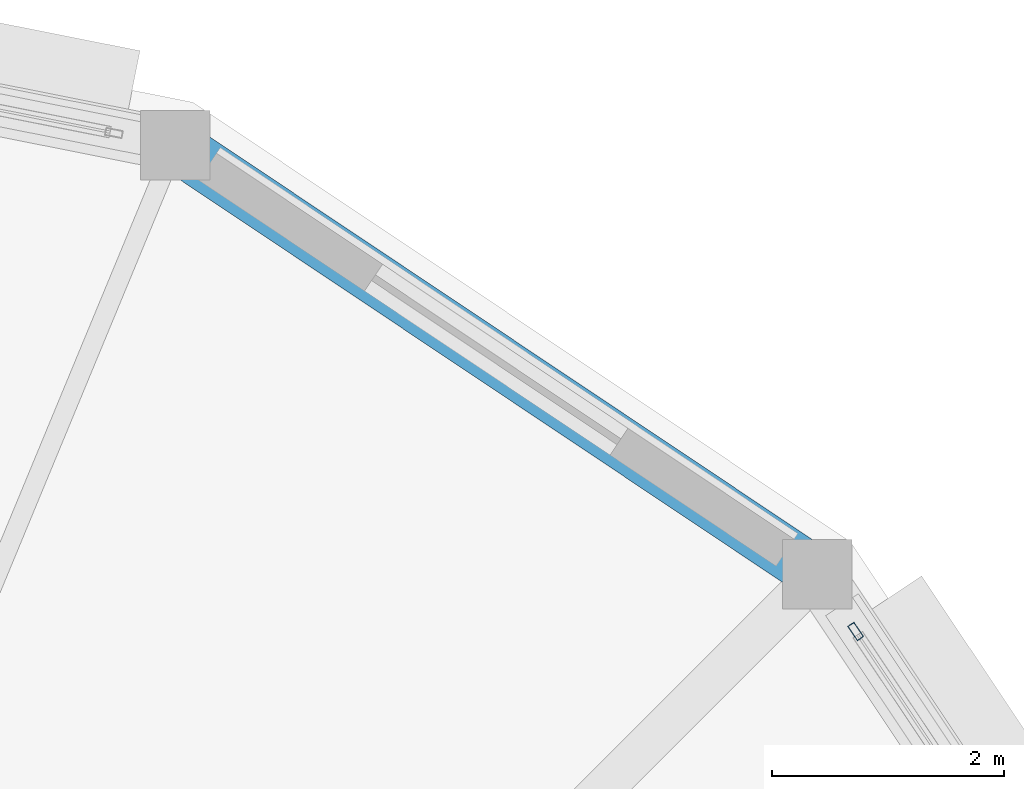
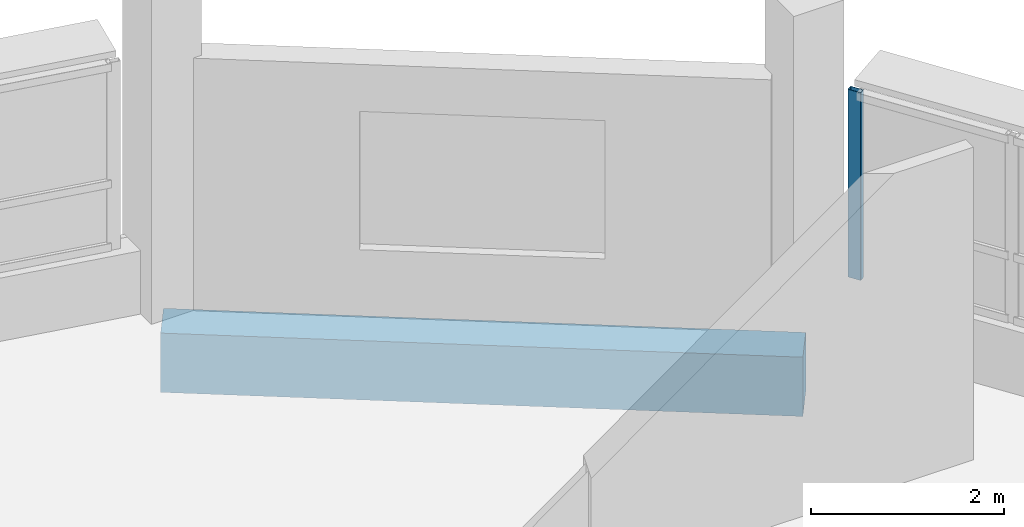
# One storey, part 90 of 128: 1 beam, 1 member, 1 element without a shape of its own.
"""IFC4 building model written with IfcOpenShell, lengths in metres."""

from ifc_helpers import new_model, si_unit, direction, frame, origin, origin_2d, place, context, subcontext, project, spatial, rectangle, hollow_rectangle, extrude, material, layer, layer_set, material_profile, profile_set, type_object, element, aggregate, save


model = new_model("IFC4")

# Units and contexts
model_context = context("Model", 3, precision=1e-05, world=origin(), true_north=direction((0.0, 1.0)))
body_context = subcontext(model_context, "Body", "Model", "MODEL_VIEW")
ifc_project = project(units=[si_unit("LENGTHUNIT", "METRE"), si_unit("AREAUNIT", "SQUARE_METRE"), si_unit("VOLUMEUNIT", "CUBIC_METRE"), si_unit("PLANEANGLEUNIT", "RADIAN"), si_unit("MASSUNIT", "GRAM", prefix="KILO")], contexts=[model_context])

# Site, building, storey
site_placement = place(None, origin())
site = spatial("IfcSite", under=ifc_project, at=site_placement, CompositionType="ELEMENT")
building_placement = place(site_placement, origin())
building = spatial("IfcBuilding", under=site, at=building_placement, Name="Vespera Passage Community Centre", CompositionType="ELEMENT")
storey_placement = place(building_placement, frame((0.0, 0.0, 4.5)))
storey = spatial("IfcBuildingStorey", under=building, at=storey_placement, Name="L01", CompositionType="ELEMENT", Elevation=4.5)

# Beam
ifc_material_1 = material(Name="Concrete f'c 35 MPa", Category="concrete")
ifc_material_profile_1 = material_profile(ifc_material_1, rectangle(XDim=0.449951171875, YDim=0.75, at=origin_2d()), Name="RC450X750")
ifc_profile_set_1 = profile_set([ifc_material_profile_1], Name="Concrete f'c 35 MPa")
beam_type = type_object("IfcBeamType", Name="BM-SP-450X750E", PredefinedType="SPANDREL", material=ifc_profile_set_1)
beam_placement = place(storey_placement, frame((153.091552734375, 37.091552734375, -0.614990234375), z_axis=(-0.831470004276, 0.55556964639, 0.0), x_axis=(-0.55556964639, -0.831470004276, 0.0)))
element("IfcBeam", 1, at=beam_placement, inside=storey, type_object=beam_type, Name="V3 L01 Spandrel 3", PredefinedType="SPANDREL", context=body_context, shape_type="SweptSolid", body=[
    extrude(rectangle(XDim=0.449951171875, YDim=0.75, at=origin_2d()), origin(), (0.0, 0.0, 1.0), 6.672119140625),
])

# Curtain wall, member
ifc_material_2 = material(Name="Anodized aluminium 6063-T6", Category="aluminium")
ifc_layer = layer(ifc_material_2, 0.159912109375)
ifc_layer_set = layer_set([ifc_layer], Name="Anodized aluminium 6063-T6")
curtain_wall_type = type_object("IfcCurtainWallType", Name="CW-106E", PredefinedType="NOTDEFINED", material=ifc_layer_set)
curtain_wall_placement = place(storey_placement, origin())
curtain_wall = element("IfcCurtainWall", 2, at=curtain_wall_placement, inside=storey, type_object=curtain_wall_type, Name="Dining Drum Ribbon Curtain Wall L01.2", PredefinedType="NOTDEFINED")
ifc_material_3 = material(Name="Anodized aluminium 6063-T6", Category="aluminium")
ifc_material_profile_2 = material_profile(ifc_material_3, hollow_rectangle(XDim=0.06494140625, YDim=0.14990234375, WallThickness=0.00390625, InnerFilletRadius=0.001953125, OuterFilletRadius=0.00390625, at=origin_2d()), Name="ALU150X65X4")
ifc_profile_set_2 = profile_set([ifc_material_profile_2], Name="Anodized aluminium 6063-T6")
member_type = type_object("IfcMemberType", Name="MB-CWM-150E", PredefinedType="MULLION", material=ifc_profile_set_2)
member_placement = place(storey_placement, frame((153.421142578125, 36.59814453125, 0.800048828125), z_axis=(0.0, 0.0, 1.0), x_axis=(0.831473308708, 0.555564700918, 0.0)))
member = element("IfcMember", 3, at=member_placement, type_object=member_type, Name="CW-106E mullion 1", PredefinedType="MULLION", context=body_context, shape_type="SweptSolid", body=[
    extrude(hollow_rectangle(XDim=0.06494140625, YDim=0.14990234375, WallThickness=0.00390625, InnerFilletRadius=0.001953125, OuterFilletRadius=0.00390625, at=origin_2d()), origin(), (0.0, 0.0, 1.0), 2.375),
])
aggregate(curtain_wall, [member])

save(model, "model.ifc")
